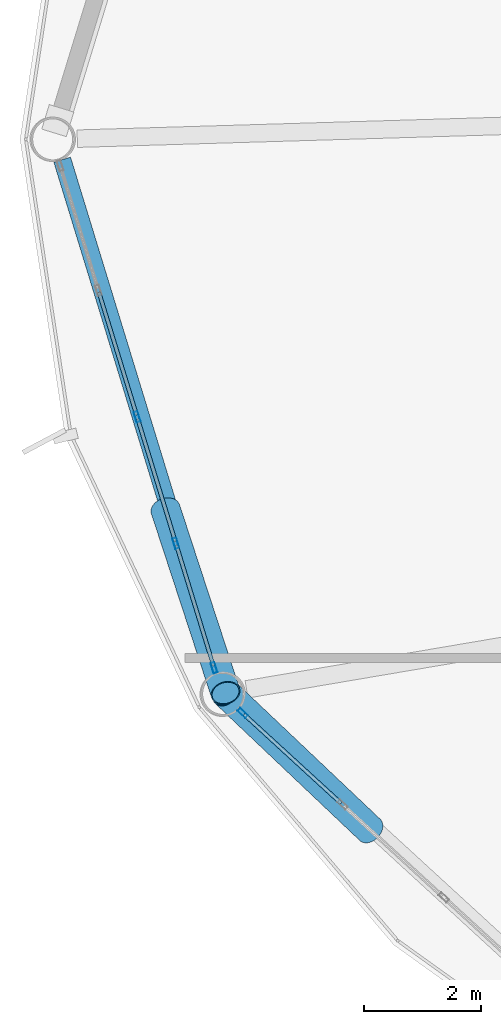
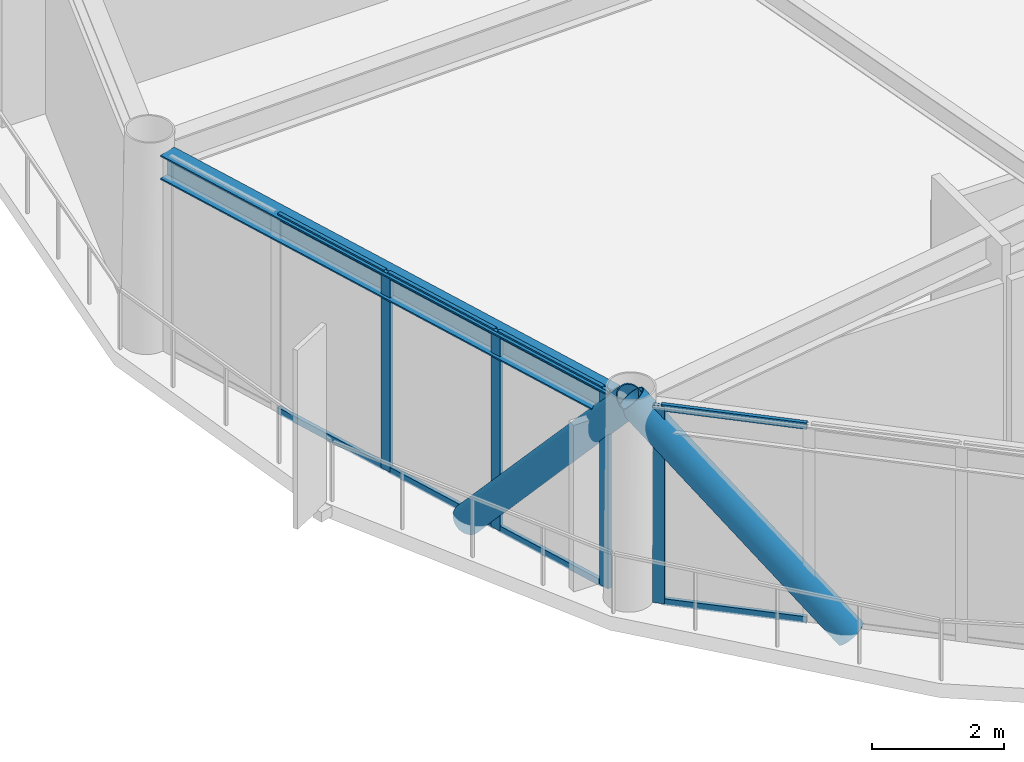
# One storey, part 5 of 27: 14 members, 1 beam, 2 elements without a shape of their own.
"""IFC4 building model written with IfcOpenShell, lengths in metres."""

from ifc_helpers import new_model, si_unit, direction, frame, origin, origin_2d, place, context, subcontext, project, spatial, hollow_rectangle, hollow_circle, i_section, extrude, material, layer, layer_set, material_profile, profile_set, type_object, element, aggregate, save


model = new_model("IFC4")

# Units and contexts
model_context = context("Model", 3, precision=1e-05, world=origin(), true_north=direction((0.0, 1.0)))
body_context = subcontext(model_context, "Body", "Model", "MODEL_VIEW")
ifc_project = project(units=[si_unit("LENGTHUNIT", "METRE"), si_unit("AREAUNIT", "SQUARE_METRE"), si_unit("VOLUMEUNIT", "CUBIC_METRE"), si_unit("PLANEANGLEUNIT", "RADIAN"), si_unit("MASSUNIT", "GRAM", prefix="KILO")], contexts=[model_context])

# Site, building, storey
site_placement = place(None, origin())
site = spatial("IfcSite", under=ifc_project, at=site_placement, CompositionType="ELEMENT")
building_placement = place(site_placement, origin())
building = spatial("IfcBuilding", under=site, at=building_placement, Name="Varnakorn Sky Granary", CompositionType="ELEMENT")
storey_placement = place(building_placement, frame((0.0, 0.0, 142.199951171875)))
storey = spatial("IfcBuildingStorey", under=building, at=storey_placement, Name="L35", CompositionType="ELEMENT", Elevation=142.199951171875)

# Beam
ifc_material_1 = material(Name="Steel S355JR", Category="steel")
ifc_material_profile_1 = material_profile(ifc_material_1, i_section(OverallWidth=0.300048828125, OverallDepth=0.449951171875, WebThickness=0.013916015625, FlangeThickness=0.02587890625, at=origin_2d()), Name="HE 450 B")
ifc_profile_set_1 = profile_set([ifc_material_profile_1], Name="Steel S355JR")
beam_type = type_object("IfcBeamType", Name="BM-SPD-Z3", PredefinedType="SPANDREL", material=ifc_profile_set_1)
beam_placement = place(storey_placement, frame((-22.242919921875, -0.349853515625, 3.4150390625), z_axis=(0.292905803463, -0.956141302475, 0.0), x_axis=(0.956141302475, 0.292905803463, 0.0)))
element("IfcBeam", 1, at=beam_placement, inside=storey, type_object=beam_type, Name="Perimeter Spandrel Ring Beam RB07 L35", PredefinedType="SPANDREL", context=body_context, shape_type="SweptSolid", body=[
    extrude(i_section(OverallWidth=0.300048828125, OverallDepth=0.449951171875, WebThickness=0.013916015625, FlangeThickness=0.02587890625, at=origin_2d()), origin(), (0.0, 0.0, 1.0), 9.20458984375),
])

# Curtain wall, members
ifc_material_2 = material(Name="Anodised Bronze Aluminium Alloy 6063-T6", Category="aluminium")
ifc_layer = layer(ifc_material_2, 0.179931640625, Name="Anodised Bronze Aluminium Alloy 6063-T6")
ifc_layer_set = layer_set([ifc_layer], Name="Anodised Bronze Aluminium Alloy 6063-T6")
curtain_wall_type = type_object("IfcCurtainWallType", Name="CW-FRM-2", PredefinedType="USERDEFINED", material=ifc_layer_set)
curtain_wall_1_placement = place(storey_placement, origin())
curtain_wall_1 = element("IfcCurtainWall", 2, at=curtain_wall_1_placement, inside=storey, type_object=curtain_wall_type, Name="Unitised Curtain Wall CW4 CW-L35-B07", ObjectType="CURTAIN WALL", PredefinedType="USERDEFINED")
ifc_material_profile_2 = material_profile(ifc_material_2, hollow_rectangle(XDim=0.070068359375, YDim=0.18505859375, WallThickness=0.00390625, at=origin_2d()), Name="ALU MULL 70x185")
ifc_profile_set_2 = profile_set([ifc_material_profile_2], Name="Anodised Bronze Aluminium Alloy 6063-T6")
member_type_1 = type_object("IfcMemberType", Name="CW-FRM-2-MULL", PredefinedType="MULLION", material=ifc_profile_set_2)
member_1_placement = place(storey_placement, frame((-19.63720703125, -9.06884765625, 0.0), z_axis=(0.0, 0.0, 1.0), x_axis=(-0.956091617843, -0.293067941424, 0.0)))
member_1 = element("IfcMember", 3, at=member_1_placement, type_object=member_type_1, Name="CW4 mullion 1", PredefinedType="MULLION", context=body_context, shape_type="SweptSolid", body=[
    extrude(hollow_rectangle(XDim=0.070068359375, YDim=0.18505859375, WallThickness=0.00390625, at=origin_2d()), origin(), (0.0, 0.0, 1.0), 3.64013671875),
])
member_2_placement = place(storey_placement, frame((-20.292236328125, -6.93212890625, 0.0), z_axis=(0.0, 0.0, 1.0), x_axis=(-0.956091617843, -0.293067941424, 0.0)))
member_2 = element("IfcMember", 4, at=member_2_placement, type_object=member_type_1, Name="CW4 mullion 2", PredefinedType="MULLION", context=body_context, shape_type="SweptSolid", body=[
    extrude(hollow_rectangle(XDim=0.070068359375, YDim=0.18505859375, WallThickness=0.00390625, at=origin_2d()), origin(), (0.0, 0.0, 1.0), 3.64013671875),
])
member_3_placement = place(storey_placement, frame((-20.957275390625, -4.761962890625, 0.0), z_axis=(0.0, 0.0, 1.0), x_axis=(-0.956091617843, -0.293067941424, 0.0)))
member_3 = element("IfcMember", 5, at=member_3_placement, type_object=member_type_1, Name="CW4 mullion 3", PredefinedType="MULLION", context=body_context, shape_type="SweptSolid", body=[
    extrude(hollow_rectangle(XDim=0.070068359375, YDim=0.18505859375, WallThickness=0.00390625, at=origin_2d()), origin(), (0.0, 0.0, 1.0), 3.64013671875),
])

# Curtain wall, member
curtain_wall_2_placement = place(storey_placement, origin())
curtain_wall_2 = element("IfcCurtainWall", 6, at=curtain_wall_2_placement, inside=storey, type_object=curtain_wall_type, Name="Unitised Curtain Wall CW4 CW-L35-B08", ObjectType="CURTAIN WALL", PredefinedType="USERDEFINED")
member_4_placement = place(storey_placement, frame((-19.146728515625, -9.845703125, 0.0), z_axis=(0.0, 0.0, 1.0), x_axis=(-0.675684798243, -0.737190649305, 0.0)))
member_4 = element("IfcMember", 7, at=member_4_placement, type_object=member_type_1, Name="CW4 mullion 5", PredefinedType="MULLION", context=body_context, shape_type="SweptSolid", body=[
    extrude(hollow_rectangle(XDim=0.070068359375, YDim=0.18505859375, WallThickness=0.00390625, at=origin_2d()), origin(), (0.0, 0.0, 1.0), 3.64013671875),
])

# Member
ifc_material_profile_3 = material_profile(ifc_material_2, hollow_rectangle(XDim=0.06494140625, YDim=0.1201171875, WallThickness=0.00341796875, at=origin_2d()), Name="ALU TRAN 65x120")
ifc_profile_set_3 = profile_set([ifc_material_profile_3], Name="Anodised Bronze Aluminium Alloy 6063-T6")
member_type_2 = type_object("IfcMemberType", Name="CW-FRM-2-TRAN", PredefinedType="USERDEFINED", material=ifc_profile_set_3)
member_5_placement = place(storey_placement, frame((-19.6474609375, -9.035400390625, 0.032470703125), z_axis=(-0.29309512368, 0.956083285324, 0.0), x_axis=(-0.956083285324, -0.29309512368, 0.0)))
member_5 = element("IfcMember", 8, at=member_5_placement, type_object=member_type_2, Name="CW4 transom 1.1", ObjectType="TRANSOM", PredefinedType="USERDEFINED", context=body_context, shape_type="SweptSolid", body=[
    extrude(hollow_rectangle(XDim=0.06494140625, YDim=0.1201171875, WallThickness=0.00341796875, at=origin_2d()), origin(), (0.0, 0.0, 1.0), 2.164794921875),
])

member_6_placement = place(storey_placement, frame((-19.6474609375, -9.035400390625, 3.607666015625), z_axis=(-0.29309512368, 0.956083285324, 0.0), x_axis=(-0.956083285324, -0.29309512368, 0.0)))
member_6 = element("IfcMember", 9, at=member_6_placement, type_object=member_type_2, Name="CW4 transom 1.2", ObjectType="TRANSOM", PredefinedType="USERDEFINED", context=body_context, shape_type="SweptSolid", body=[
    extrude(hollow_rectangle(XDim=0.06494140625, YDim=0.1201171875, WallThickness=0.00341796875, at=origin_2d()), origin(), (0.0, 0.0, 1.0), 2.164794921875),
])

member_7_placement = place(storey_placement, frame((-20.302490234375, -6.898681640625, 0.032470703125), z_axis=(-0.292993829008, 0.956114332161, 0.0), x_axis=(-0.956114332161, -0.292993829008, 0.0)))
member_7 = element("IfcMember", 10, at=member_7_placement, type_object=member_type_2, Name="CW4 transom 2.1", ObjectType="TRANSOM", PredefinedType="USERDEFINED", context=body_context, shape_type="SweptSolid", body=[
    extrude(hollow_rectangle(XDim=0.06494140625, YDim=0.1201171875, WallThickness=0.00341796875, at=origin_2d()), origin(), (0.0, 0.0, 1.0), 2.19970703125),
])

member_8_placement = place(storey_placement, frame((-20.302490234375, -6.898681640625, 3.607666015625), z_axis=(-0.292993829008, 0.956114332161, 0.0), x_axis=(-0.956114332161, -0.292993829008, 0.0)))
member_8 = element("IfcMember", 11, at=member_8_placement, type_object=member_type_2, Name="CW4 transom 2.2", ObjectType="TRANSOM", PredefinedType="USERDEFINED", context=body_context, shape_type="SweptSolid", body=[
    extrude(hollow_rectangle(XDim=0.06494140625, YDim=0.1201171875, WallThickness=0.00341796875, at=origin_2d()), origin(), (0.0, 0.0, 1.0), 2.19970703125),
])

member_9_placement = place(storey_placement, frame((-20.967529296875, -4.728515625, 0.032470703125), z_axis=(-0.293095279234, 0.956083237637, 0.0), x_axis=(-0.956083237637, -0.293095279234, 0.0)))
member_9 = element("IfcMember", 12, at=member_9_placement, type_object=member_type_2, Name="CW4 transom 3.1", ObjectType="TRANSOM", PredefinedType="USERDEFINED", context=body_context, shape_type="SweptSolid", body=[
    extrude(hollow_rectangle(XDim=0.06494140625, YDim=0.1201171875, WallThickness=0.00341796875, at=origin_2d()), origin(), (0.0, 0.0, 1.0), 2.199951171875),
])

member_10_placement = place(storey_placement, frame((-20.967529296875, -4.728515625, 3.607666015625), z_axis=(-0.293095279234, 0.956083237637, 0.0), x_axis=(-0.956083237637, -0.293095279234, 0.0)))
member_10 = element("IfcMember", 13, at=member_10_placement, type_object=member_type_2, Name="CW4 transom 3.2", ObjectType="TRANSOM", PredefinedType="USERDEFINED", context=body_context, shape_type="SweptSolid", body=[
    extrude(hollow_rectangle(XDim=0.06494140625, YDim=0.1201171875, WallThickness=0.00341796875, at=origin_2d()), origin(), (0.0, 0.0, 1.0), 2.199951171875),
])

aggregate(curtain_wall_1, [member_1, member_2, member_3, member_5, member_6, member_7, member_8, member_9, member_10])

member_11_placement = place(storey_placement, frame((-17.459228515625, -11.392333984375, 0.032470703125), z_axis=(-0.737248544371, 0.675621627705, 0.0), x_axis=(-0.675621627705, -0.737248544371, 0.0)))
member_11 = element("IfcMember", 14, at=member_11_placement, type_object=member_type_2, Name="CW4 transom 4.1", ObjectType="TRANSOM", PredefinedType="USERDEFINED", context=body_context, shape_type="SweptSolid", body=[
    extrude(hollow_rectangle(XDim=0.06494140625, YDim=0.1201171875, WallThickness=0.00341796875, at=origin_2d()), origin(), (0.0, 0.0, 1.0), 2.254150390625),
])

member_12_placement = place(storey_placement, frame((-17.459228515625, -11.392333984375, 3.607666015625), z_axis=(-0.737248544371, 0.675621627705, 0.0), x_axis=(-0.675621627705, -0.737248544371, 0.0)))
member_12 = element("IfcMember", 15, at=member_12_placement, type_object=member_type_2, Name="CW4 transom 4.2", ObjectType="TRANSOM", PredefinedType="USERDEFINED", context=body_context, shape_type="SweptSolid", body=[
    extrude(hollow_rectangle(XDim=0.06494140625, YDim=0.1201171875, WallThickness=0.00341796875, at=origin_2d()), origin(), (0.0, 0.0, 1.0), 2.254150390625),
])

aggregate(curtain_wall_2, [member_4, member_11, member_12])

# Members
ifc_material_3 = material(Name="Steel S460M", Category="steel")
ifc_material_profile_4 = material_profile(ifc_material_3, hollow_circle(Radius=0.25390625, WallThickness=0.01806640625, at=origin_2d()), Name="CHS 508x18")
ifc_profile_set_4 = profile_set([ifc_material_profile_4], Name="Steel S460M")
member_type_3 = type_object("IfcMemberType", Name="MB-DIAG-T2", PredefinedType="BRACE", material=ifc_profile_set_4)
member_13_placement = place(storey_placement, frame((-20.470703125, -6.349365234375, -0.1298828125), z_axis=(0.20535847993, -0.627649041073, 0.750922483323), x_axis=(0.950421268448, 0.310965291443, 0.0)))
element("IfcMember", 16, at=member_13_placement, inside=storey, type_object=member_type_3, Name="Perimeter CHS Diagrid Brace DG07 L35", PredefinedType="BRACE", context=body_context, shape_type="SweptSolid", body=[
    extrude(hollow_circle(Radius=0.25390625, WallThickness=0.01806640625, at=origin_2d()), origin(), (0.0, 0.0, 1.0), 5.0205078125),
])
member_14_placement = place(storey_placement, frame((-16.962158203125, -11.847900390625, -0.1298828125), z_axis=(-0.487183861858, 0.4615956673, 0.741337524124), x_axis=(-0.687786313234, -0.725913209225, 0.0)))
element("IfcMember", 17, at=member_14_placement, inside=storey, type_object=member_type_3, Name="Perimeter CHS Diagrid Brace DG08 L35", PredefinedType="BRACE", context=body_context, shape_type="SweptSolid", body=[
    extrude(hollow_circle(Radius=0.25390625, WallThickness=0.01806640625, at=origin_2d()), origin(), (0.0, 0.0, 1.0), 5.08544921875),
])

save(model, "model.ifc")
